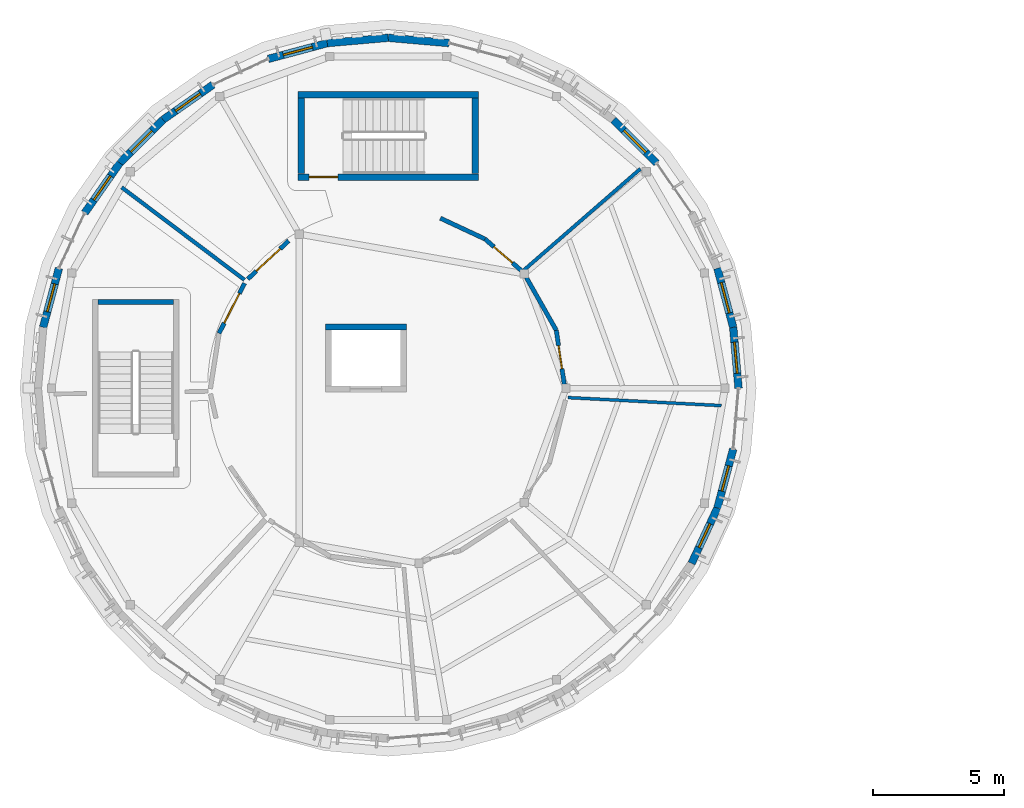
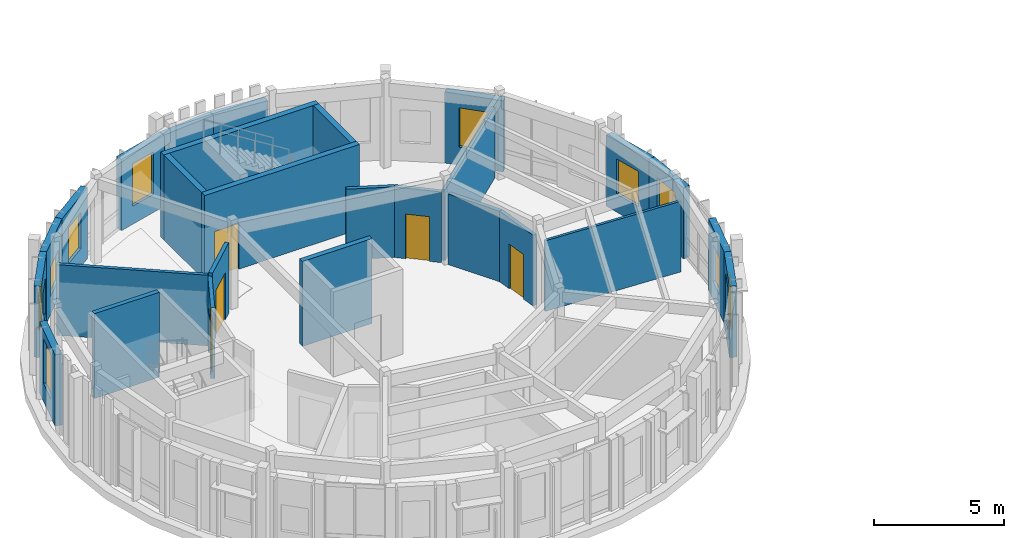
# One storey, part 21 of 37: 27 walls, 10 windows, 5 doors, 15 openings.
"""IFC4 building model written with IfcOpenShell, lengths in metres."""

from ifc_helpers import new_model, si_unit, direction, frame, frame_2d, origin, place, context, subcontext, project, spatial, rectangle, extrude, material, layer, layer_set, type_object, element, fill, save


model = new_model("IFC4")

# Units and contexts
model_context = context("Model", 3, precision=1e-05, world=origin(), true_north=direction((0.0, 1.0)))
body_context = subcontext(model_context, "Body", "Model", "MODEL_VIEW")
ifc_project = project(units=[si_unit("LENGTHUNIT", "METRE"), si_unit("AREAUNIT", "SQUARE_METRE"), si_unit("VOLUMEUNIT", "CUBIC_METRE"), si_unit("PLANEANGLEUNIT", "RADIAN"), si_unit("MASSUNIT", "GRAM", prefix="KILO")], contexts=[model_context])

# Site, building, storey
site_placement = place(None, origin())
site = spatial("IfcSite", under=ifc_project, at=site_placement, CompositionType="ELEMENT")
building_placement = place(site_placement, origin())
building = spatial("IfcBuilding", under=site, at=building_placement, Name="Aldenvaro Health Centre", CompositionType="ELEMENT")
storey_placement = place(building_placement, frame((0.0, 0.0, 12.949951171875)))
storey = spatial("IfcBuildingStorey", under=building, at=storey_placement, Name="L03", CompositionType="ELEMENT", Elevation=12.949951171875)

# Wall
ifc_material_1 = material(Name="Gypsum Stud Acoustic Assembly")
ifc_layer_1 = layer(ifc_material_1, 0.14501953125, Name="Gypsum Stud Acoustic Assembly")
ifc_layer_set_1 = layer_set([ifc_layer_1], Name="Gypsum Stud Acoustic Assembly")
wall_type_1 = type_object("IfcWallType", Name="WL-CLN-145", PredefinedType="PARTITIONING", material=ifc_layer_set_1)
wall_1_placement = place(storey_placement, frame((13.0029296875, 103.64208984375, 0.0), z_axis=(0.0, 0.0, 1.0), x_axis=(-0.798611576701, 0.601846782462, 0.0)))
element("IfcWall", 1, at=wall_1_placement, inside=storey, type_object=wall_type_1, Name="D4 L03 clinical partition 2.1", PredefinedType="PARTITIONING", context=body_context, shape_type="SweptSolid", body=[
    extrude(rectangle(XDim=5.875, YDim=0.14501953125, at=frame_2d((2.9375, 0.0))), origin(), (0.0, 0.0, 1.0), 3.323974609375),
])

# Wall, opening, door
ifc_layer_2 = layer(ifc_material_1, 0.1650390625, Name="Gypsum Stud Acoustic Assembly")
ifc_layer_set_2 = layer_set([ifc_layer_2], Name="Gypsum Stud Acoustic Assembly")
wall_type_2 = type_object("IfcWallType", Name="WL-COR-165", PredefinedType="PARTITIONING", material=ifc_layer_set_2)
wall_2_placement = place(storey_placement, frame((14.697021484375, 105.136962890625, 0.0), z_axis=(0.0, 0.0, 1.0), x_axis=(-0.73028240744, -0.683145376464, 0.0)))
wall_2 = element("IfcWall", 2, at=wall_2_placement, inside=storey, type_object=wall_type_2, Name="D4 L03 corridor wall 01.1", PredefinedType="PARTITIONING", context=body_context, shape_type="SweptSolid", body=[
    extrude(rectangle(XDim=2.144287109375, YDim=0.1650390625, at=frame_2d((1.072265625, 0.0))), origin(), (0.0, 0.0, 1.0), 3.323974609375),
])
opening_1_placement = place(wall_2_placement, frame((0.452880859375, 0.0, 0.0)))
opening_1 = element("IfcOpeningElement", 3, at=opening_1_placement, cuts=wall_2, Name="Opening D-28", PredefinedType="OPENING", context=body_context, shape_type="SweptSolid", body=[
    extrude(rectangle(XDim=1.239990234375, YDim=2.219970703125, at=frame_2d((0.6201171875, 1.10986328125))), frame((0.0, 0.092529296875, 0.0), z_axis=(0.0, -1.0, 0.0), x_axis=(1.0, 0.0, 0.0)), (0.0, 0.0, 1.0), 0.18505859375),
])
ifc_material_2 = material(Name="Exam Suite Timber Door", Category="wood")
door_type_1 = type_object("IfcDoorType", Name="DR-CLN-28", OperationType="NOTDEFINED", PredefinedType="DOOR", material=ifc_material_2)
door_1_placement = place(opening_1_placement, origin())
door_1 = element("IfcDoor", 4, at=door_1_placement, inside=storey, type_object=door_type_1, Name="Cardiology Consulting Room 401 Door", OperationType="SINGLE_SWING_LEFT", OverallHeight=2.219970703125, OverallWidth=1.239990234375, PredefinedType="DOOR", context=body_context, shape_type="SweptSolid", body=[
    extrude(rectangle(XDim=1.239990234375, YDim=2.219970703125, at=frame_2d((0.6201171875, 1.10986328125))), frame((0.0, 0.02490234375, 0.0), z_axis=(0.0, -1.0, 0.0), x_axis=(1.0, 0.0, 0.0)), (0.0, 0.0, 1.0), 0.050048828125),
])
fill(opening_1, door_1)

wall_3_placement = place(storey_placement, frame((13.009033203125, 103.510986328125, 0.0), z_axis=(0.0, 0.0, 1.0), x_axis=(-0.455072954242, -0.890454157337, 0.0)))
wall_3 = element("IfcWall", 5, at=wall_3_placement, inside=storey, type_object=wall_type_2, Name="D4 L03 corridor wall 02.1", PredefinedType="PARTITIONING", context=body_context, shape_type="SweptSolid", body=[
    extrude(rectangle(XDim=2.144775390625, YDim=0.1650390625, at=frame_2d((1.072265625, 0.0))), origin(), (0.0, 0.0, 1.0), 3.323974609375),
])
opening_2_placement = place(wall_3_placement, frame((0.43310546875, 0.0, 0.0)))
opening_2 = element("IfcOpeningElement", 6, at=opening_2_placement, cuts=wall_3, Name="Opening D-29", PredefinedType="OPENING", context=body_context, shape_type="SweptSolid", body=[
    extrude(rectangle(XDim=1.280029296875, YDim=2.300048828125, at=frame_2d((0.64013671875, 1.14990234375))), frame((0.0, 0.092529296875, 0.0), z_axis=(0.0, -1.0, 0.0), x_axis=(1.0, 0.0, 0.0)), (0.0, 0.0, 1.0), 0.18505859375),
])
door_type_2 = type_object("IfcDoorType", Name="DR-CLN-29", OperationType="NOTDEFINED", PredefinedType="DOOR", material=ifc_material_2)
door_2_placement = place(opening_2_placement, origin())
door_2 = element("IfcDoor", 7, at=door_2_placement, inside=storey, type_object=door_type_2, Name="Endocrinology Consulting Room 402 Door", OperationType="SINGLE_SWING_RIGHT", OverallHeight=2.300048828125, OverallWidth=1.280029296875, PredefinedType="DOOR", context=body_context, shape_type="SweptSolid", body=[
    extrude(rectangle(XDim=1.280029296875, YDim=2.300048828125, at=frame_2d((0.64013671875, 1.14990234375))), frame((0.0, 0.02490234375, 0.0), z_axis=(0.0, -1.0, 0.0), x_axis=(1.0, 0.0, 0.0)), (0.0, 0.0, 1.0), 0.050048828125),
])
fill(opening_2, door_2)

wall_4_placement = place(storey_placement, frame((25.235107421875, 99.64892578125, 0.0), z_axis=(0.0, 0.0, 1.0), x_axis=(-0.14618415224, 0.989257395036, 0.0)))
wall_4 = element("IfcWall", 8, at=wall_4_placement, inside=storey, type_object=wall_type_2, Name="D4 L03 corridor wall 07.1", PredefinedType="PARTITIONING", context=body_context, shape_type="SweptSolid", body=[
    extrude(rectangle(XDim=2.087646484375, YDim=0.1650390625, at=frame_2d((1.0439453125, 0.0))), origin(), (0.0, 0.0, 1.0), 3.323974609375),
])
opening_3_placement = place(wall_4_placement, frame((0.60400390625, 0.0, 0.0)))
opening_3 = element("IfcOpeningElement", 9, at=opening_3_placement, cuts=wall_4, Name="Opening UD-01", PredefinedType="OPENING", context=body_context, shape_type="SweptSolid", body=[
    extrude(rectangle(XDim=0.8798828125, YDim=2.10009765625, at=frame_2d((0.43994140625, 1.050048828125))), frame((0.0, 0.092529296875, 0.0), z_axis=(0.0, -1.0, 0.0), x_axis=(1.0, 0.0, 0.0)), (0.0, 0.0, 1.0), 0.18505859375),
])
ifc_material_3 = material(Name="Clean Supply Store Door")
door_type_3 = type_object("IfcDoorType", Name="DR-STR-01", OperationType="NOTDEFINED", PredefinedType="DOOR", material=ifc_material_3)
door_3_placement = place(opening_3_placement, origin())
door_3 = element("IfcDoor", 10, at=door_3_placement, inside=storey, type_object=door_type_3, Name="Clean Instrument Hold Door", OperationType="SINGLE_SWING_LEFT", OverallHeight=2.10009765625, OverallWidth=0.8798828125, PredefinedType="DOOR", context=body_context, shape_type="SweptSolid", body=[
    extrude(rectangle(XDim=0.8798828125, YDim=2.10009765625, at=frame_2d((0.43994140625, 1.050048828125))), frame((0.0, 0.02490234375, 0.0), z_axis=(0.0, -1.0, 0.0), x_axis=(1.0, 0.0, 0.0)), (0.0, 0.0, 1.0), 0.050048828125),
])
fill(opening_3, door_3)

# Wall
wall_5_placement = place(storey_placement, frame((24.929931640625, 101.714111328125, 0.0), z_axis=(0.0, 0.0, 1.0), x_axis=(-0.493935156124, 0.869498741543, 0.0)))
element("IfcWall", 11, at=wall_5_placement, inside=storey, type_object=wall_type_2, Name="D4 L03 corridor wall 07.2", PredefinedType="PARTITIONING", context=body_context, shape_type="SweptSolid", body=[
    extrude(rectangle(XDim=2.316162109375, YDim=0.1650390625, at=frame_2d((1.158203125, 0.0))), origin(), (0.0, 0.0, 1.0), 3.323974609375),
])

# Wall, opening, door
wall_6_placement = place(storey_placement, frame((23.60009765625, 103.990966796875, 0.0), z_axis=(0.0, 0.0, 1.0), x_axis=(-0.755139781187, 0.65556381144, 0.0)))
wall_6 = element("IfcWall", 12, at=wall_6_placement, inside=storey, type_object=wall_type_2, Name="D4 L03 corridor wall 08.1", PredefinedType="PARTITIONING", context=body_context, shape_type="SweptSolid", body=[
    extrude(rectangle(XDim=1.8486328125, YDim=0.1650390625, at=frame_2d((0.92431640625, 0.0))), origin(), (0.0, 0.0, 1.0), 3.323974609375),
])
opening_4_placement = place(wall_6_placement, frame((0.4541015625, 0.0, 0.0)))
opening_4 = element("IfcOpeningElement", 13, at=opening_4_placement, cuts=wall_6, Name="Opening WD-02", PredefinedType="OPENING", context=body_context, shape_type="SweptSolid", body=[
    extrude(rectangle(XDim=0.93994140625, YDim=2.10009765625, at=frame_2d((0.469970703125, 1.050048828125))), frame((0.0, 0.092529296875, 0.0), z_axis=(0.0, -1.0, 0.0), x_axis=(1.0, 0.0, 0.0)), (0.0, 0.0, 1.0), 0.18505859375),
])
ifc_material_4 = material(Name="Accessible Sanitary Laminate Door")
door_type_4 = type_object("IfcDoorType", Name="DR-WC-02", OperationType="NOTDEFINED", PredefinedType="DOOR", material=ifc_material_4)
door_4_placement = place(opening_4_placement, origin())
door_4 = element("IfcDoor", 14, at=door_4_placement, inside=storey, type_object=door_type_4, Name="Male Patient WC Door", OperationType="SINGLE_SWING_RIGHT", OverallHeight=2.10009765625, OverallWidth=0.93994140625, PredefinedType="DOOR", context=body_context, shape_type="SweptSolid", body=[
    extrude(rectangle(XDim=0.93994140625, YDim=2.10009765625, at=frame_2d((0.469970703125, 1.050048828125))), frame((0.0, 0.02490234375, 0.0), z_axis=(0.0, -1.0, 0.0), x_axis=(1.0, 0.0, 0.0)), (0.0, 0.0, 1.0), 0.050048828125),
])
fill(opening_4, door_4)

# Wall
wall_7_placement = place(storey_placement, frame((22.2041015625, 105.202880859375, 0.0), z_axis=(0.0, 0.0, 1.0), x_axis=(-0.906080483262, 0.423105374407, 0.0)))
element("IfcWall", 15, at=wall_7_placement, inside=storey, type_object=wall_type_2, Name="D4 L03 corridor wall 08.2", PredefinedType="PARTITIONING", context=body_context, shape_type="SweptSolid", body=[
    extrude(rectangle(XDim=1.884033203125, YDim=0.1650390625, at=frame_2d((0.94189453125, 0.0))), origin(), (0.0, 0.0, 1.0), 3.323974609375),
])

# Wall, opening, window
ifc_material_5 = material(Name="Cross-laminated timber CLT E1", Category="wood")
ifc_layer_3 = layer(ifc_material_5, 0.2900390625, Name="Cross-laminated timber CLT E1", Category="wood")
ifc_layer_set_3 = layer_set([ifc_layer_3], Name="Cross-laminated timber CLT E1")
wall_type_3 = type_object("IfcWallType", Name="WL-EXT-290", PredefinedType="ELEMENTEDWALL", material=ifc_layer_set_3)
wall_8_placement = place(storey_placement, frame((31.696044921875, 97.173095703125, 0.0), z_axis=(0.0, 0.0, 1.0), x_axis=(-0.258612423585, -0.965981166673, 0.0)))
wall_8 = element("IfcWall", 16, at=wall_8_placement, inside=storey, type_object=wall_type_3, Name="D4 L03 exterior wall 02", PredefinedType="ELEMENTEDWALL", context=body_context, shape_type="SweptSolid", body=[
    extrude(rectangle(XDim=2.33544921875, YDim=0.2900390625, at=frame_2d((1.167724609375, 0.0))), origin(), (0.0, 0.0, 1.0), 3.34912109375),
])
opening_5_placement = place(wall_8_placement, frame((0.66796875, 0.0, 0.85009765625)))
opening_5 = element("IfcOpeningElement", 17, at=opening_5_placement, cuts=wall_8, Name="Opening W-16", PredefinedType="OPENING", context=body_context, shape_type="SweptSolid", body=[
    extrude(rectangle(XDim=1.0, YDim=1.75, at=frame_2d((0.5, 0.875))), frame((0.0, 0.155029296875, 0.0), z_axis=(0.0, -1.0, 0.0), x_axis=(1.0, 0.0, 0.0)), (0.0, 0.0, 1.0), 0.31005859375),
])
ifc_material_6 = material(Name="Thermally Broken Aluminium Low-E Glass", Category="aluminium")
window_type_1 = type_object("IfcWindowType", Name="WN-EXT-16", PartitioningType="SINGLE_PANEL", PredefinedType="WINDOW", material=ifc_material_6)
window_1_placement = place(opening_5_placement, origin())
window_1 = element("IfcWindow", 18, at=window_1_placement, inside=storey, type_object=window_type_1, Name="D4 L03 clinical window 02", OverallHeight=1.75, OverallWidth=1.0, PartitioningType="SINGLE_PANEL", PredefinedType="WINDOW", context=body_context, shape_type="SweptSolid", body=[
    extrude(rectangle(XDim=1.0, YDim=1.75, at=frame_2d((0.5, 0.875))), frame((0.0, 0.030029296875, 0.0), z_axis=(0.0, -1.0, 0.0), x_axis=(1.0, 0.0, 0.0)), (0.0, 0.0, 1.0), 0.06005859375),
])
fill(opening_5, window_1)

wall_9_placement = place(storey_placement, frame((31.092041015625, 94.9169921875, 0.0), z_axis=(0.0, 0.0, 1.0), x_axis=(-0.422587894318, -0.906321946979, 0.0)))
wall_9 = element("IfcWall", 19, at=wall_9_placement, inside=storey, type_object=wall_type_3, Name="D4 L03 exterior wall 03", PredefinedType="ELEMENTEDWALL", context=body_context, shape_type="SweptSolid", body=[
    extrude(rectangle(XDim=2.335693359375, YDim=0.2900390625, at=frame_2d((1.16796875, 0.0))), origin(), (0.0, 0.0, 1.0), 3.34912109375),
])
opening_6_placement = place(wall_9_placement, frame((0.66796875, 0.0, 0.85009765625)))
opening_6 = element("IfcOpeningElement", 20, at=opening_6_placement, cuts=wall_9, Name="Opening W-17", PredefinedType="OPENING", context=body_context, shape_type="SweptSolid", body=[
    extrude(rectangle(XDim=1.0, YDim=2.0, at=frame_2d((0.5, 1.0))), frame((0.0, 0.155029296875, 0.0), z_axis=(0.0, -1.0, 0.0), x_axis=(1.0, 0.0, 0.0)), (0.0, 0.0, 1.0), 0.31005859375),
])
window_type_2 = type_object("IfcWindowType", Name="WN-EXT-17", PartitioningType="SINGLE_PANEL", PredefinedType="WINDOW", material=ifc_material_6)
window_2_placement = place(opening_6_placement, origin())
window_2 = element("IfcWindow", 21, at=window_2_placement, inside=storey, type_object=window_type_2, Name="D4 L03 clinical window 03", OverallHeight=2.0, OverallWidth=1.0, PartitioningType="SINGLE_PANEL", PredefinedType="WINDOW", context=body_context, shape_type="SweptSolid", body=[
    extrude(rectangle(XDim=1.0, YDim=2.0, at=frame_2d((0.5, 1.0))), frame((0.0, 0.030029296875, 0.0), z_axis=(0.0, -1.0, 0.0), x_axis=(1.0, 0.0, 0.0)), (0.0, 0.0, 1.0), 0.06005859375),
])
fill(opening_6, window_2)

wall_10_placement = place(storey_placement, frame((5.303955078125, 101.826904296875, 0.0), z_axis=(0.0, 0.0, 1.0), x_axis=(0.258612423585, 0.965981166673, 0.0)))
wall_10 = element("IfcWall", 22, at=wall_10_placement, inside=storey, type_object=wall_type_3, Name="D4 L03 exterior wall 20", PredefinedType="ELEMENTEDWALL", context=body_context, shape_type="SweptSolid", body=[
    extrude(rectangle(XDim=2.33544921875, YDim=0.2900390625, at=frame_2d((1.167724609375, 0.0))), origin(), (0.0, 0.0, 1.0), 3.34912109375),
])
opening_7_placement = place(wall_10_placement, frame((0.617919921875, 0.0, 0.85009765625)))
opening_7 = element("IfcOpeningElement", 23, at=opening_7_placement, cuts=wall_10, Name="Opening W-28", PredefinedType="OPENING", context=body_context, shape_type="SweptSolid", body=[
    extrude(rectangle(XDim=1.10009765625, YDim=2.10009765625, at=frame_2d((0.550048828125, 1.050048828125))), frame((0.0, 0.155029296875, 0.0), z_axis=(0.0, -1.0, 0.0), x_axis=(1.0, 0.0, 0.0)), (0.0, 0.0, 1.0), 0.31005859375),
])
window_type_3 = type_object("IfcWindowType", Name="WN-EXT-28", PartitioningType="SINGLE_PANEL", PredefinedType="WINDOW", material=ifc_material_6)
window_3_placement = place(opening_7_placement, origin())
window_3 = element("IfcWindow", 24, at=window_3_placement, inside=storey, type_object=window_type_3, Name="D4 L03 clinical window 20", OverallHeight=2.10009765625, OverallWidth=1.10009765625, PartitioningType="SINGLE_PANEL", PredefinedType="WINDOW", context=body_context, shape_type="SweptSolid", body=[
    extrude(rectangle(XDim=1.10009765625, YDim=2.10009765625, at=frame_2d((0.550048828125, 1.050048828125))), frame((0.0, 0.030029296875, 0.0), z_axis=(0.0, -1.0, 0.0), x_axis=(1.0, 0.0, 0.0)), (0.0, 0.0, 1.0), 0.06005859375),
])
fill(opening_7, window_3)

wall_11_placement = place(storey_placement, frame((6.89501953125, 106.199951171875, 0.0), z_axis=(0.0, 0.0, 1.0), x_axis=(0.573728883722, 0.819045278347, 0.0)))
wall_11 = element("IfcWall", 25, at=wall_11_placement, inside=storey, type_object=wall_type_3, Name="D4 L03 exterior wall 22", PredefinedType="ELEMENTEDWALL", context=body_context, shape_type="SweptSolid", body=[
    extrude(rectangle(XDim=2.335693359375, YDim=0.2900390625, at=frame_2d((1.16796875, 0.0))), origin(), (0.0, 0.0, 1.0), 3.34912109375),
])
opening_8_placement = place(wall_11_placement, frame((0.60791015625, 0.0, 0.85009765625)))
opening_8 = element("IfcOpeningElement", 26, at=opening_8_placement, cuts=wall_11, Name="Opening W-29", PredefinedType="OPENING", context=body_context, shape_type="SweptSolid", body=[
    extrude(rectangle(XDim=1.1201171875, YDim=1.64990234375, at=frame_2d((0.56005859375, 0.824951171875))), frame((0.0, 0.155029296875, 0.0), z_axis=(0.0, -1.0, 0.0), x_axis=(1.0, 0.0, 0.0)), (0.0, 0.0, 1.0), 0.31005859375),
])
window_type_4 = type_object("IfcWindowType", Name="WN-EXT-29", PartitioningType="SINGLE_PANEL", PredefinedType="WINDOW", material=ifc_material_6)
window_4_placement = place(opening_8_placement, origin())
window_4 = element("IfcWindow", 27, at=window_4_placement, inside=storey, type_object=window_type_4, Name="D4 L03 clinical window 22", OverallHeight=1.64990234375, OverallWidth=1.1201171875, PartitioningType="SINGLE_PANEL", PredefinedType="WINDOW", context=body_context, shape_type="SweptSolid", body=[
    extrude(rectangle(XDim=1.1201171875, YDim=1.64990234375, at=frame_2d((0.56005859375, 0.824951171875))), frame((0.0, 0.030029296875, 0.0), z_axis=(0.0, -1.0, 0.0), x_axis=(1.0, 0.0, 0.0)), (0.0, 0.0, 1.0), 0.06005859375),
])
fill(opening_8, window_4)

wall_12_placement = place(storey_placement, frame((8.235107421875, 108.113037109375, 0.0), z_axis=(0.0, 0.0, 1.0), x_axis=(0.707106781187, 0.707106781187, 0.0)))
wall_12 = element("IfcWall", 28, at=wall_12_placement, inside=storey, type_object=wall_type_3, Name="D4 L03 exterior wall 23", PredefinedType="ELEMENTEDWALL", context=body_context, shape_type="SweptSolid", body=[
    extrude(rectangle(XDim=2.336181640625, YDim=0.2900390625, at=frame_2d((1.16796875, 0.0))), origin(), (0.0, 0.0, 1.0), 3.34912109375),
])
opening_9_placement = place(wall_12_placement, frame((0.593017578125, 0.0, 0.85009765625)))
opening_9 = element("IfcOpeningElement", 29, at=opening_9_placement, cuts=wall_12, Name="Opening W-30", PredefinedType="OPENING", context=body_context, shape_type="SweptSolid", body=[
    extrude(rectangle(XDim=1.14990234375, YDim=1.39990234375, at=frame_2d((0.574951171875, 0.699951171875))), frame((0.0, 0.155029296875, 0.0), z_axis=(0.0, -1.0, 0.0), x_axis=(1.0, 0.0, 0.0)), (0.0, 0.0, 1.0), 0.31005859375),
])
window_type_5 = type_object("IfcWindowType", Name="WN-EXT-30", PartitioningType="SINGLE_PANEL", PredefinedType="WINDOW", material=ifc_material_6)
window_5_placement = place(opening_9_placement, origin())
window_5 = element("IfcWindow", 30, at=window_5_placement, inside=storey, type_object=window_type_5, Name="D4 L03 clinical window 23", OverallHeight=1.39990234375, OverallWidth=1.14990234375, PartitioningType="SINGLE_PANEL", PredefinedType="WINDOW", context=body_context, shape_type="SweptSolid", body=[
    extrude(rectangle(XDim=1.14990234375, YDim=1.39990234375, at=frame_2d((0.574951171875, 0.699951171875))), frame((0.0, 0.030029296875, 0.0), z_axis=(0.0, -1.0, 0.0), x_axis=(1.0, 0.0, 0.0)), (0.0, 0.0, 1.0), 0.06005859375),
])
fill(opening_9, window_5)

wall_13_placement = place(storey_placement, frame((9.886962890625, 109.764892578125, 0.0), z_axis=(0.0, 0.0, 1.0), x_axis=(0.819045278347, 0.573728883722, 0.0)))
wall_13 = element("IfcWall", 31, at=wall_13_placement, inside=storey, type_object=wall_type_3, Name="D4 L03 exterior wall 24", PredefinedType="ELEMENTEDWALL", context=body_context, shape_type="SweptSolid", body=[
    extrude(rectangle(XDim=2.335693359375, YDim=0.2900390625, at=frame_2d((1.16796875, 0.0))), origin(), (0.0, 0.0, 1.0), 3.34912109375),
])
opening_10_placement = place(wall_13_placement, frame((0.593017578125, 0.0, 0.85009765625)))
opening_10 = element("IfcOpeningElement", 32, at=opening_10_placement, cuts=wall_13, Name="Opening W-31", PredefinedType="OPENING", context=body_context, shape_type="SweptSolid", body=[
    extrude(rectangle(XDim=1.14990234375, YDim=1.699951171875, at=frame_2d((0.574951171875, 0.85009765625))), frame((0.0, 0.155029296875, 0.0), z_axis=(0.0, -1.0, 0.0), x_axis=(1.0, 0.0, 0.0)), (0.0, 0.0, 1.0), 0.31005859375),
])
window_type_6 = type_object("IfcWindowType", Name="WN-EXT-31", PartitioningType="SINGLE_PANEL", PredefinedType="WINDOW", material=ifc_material_6)
window_6_placement = place(opening_10_placement, origin())
window_6 = element("IfcWindow", 33, at=window_6_placement, inside=storey, type_object=window_type_6, Name="D4 L03 clinical window 24", OverallHeight=1.699951171875, OverallWidth=1.14990234375, PartitioningType="SINGLE_PANEL", PredefinedType="WINDOW", context=body_context, shape_type="SweptSolid", body=[
    extrude(rectangle(XDim=1.14990234375, YDim=1.699951171875, at=frame_2d((0.574951171875, 0.85009765625))), frame((0.0, 0.030029296875, 0.0), z_axis=(0.0, -1.0, 0.0), x_axis=(1.0, 0.0, 0.0)), (0.0, 0.0, 1.0), 0.06005859375),
])
fill(opening_10, window_6)

wall_14_placement = place(storey_placement, frame((13.9169921875, 112.092041015625, 0.0), z_axis=(0.0, 0.0, 1.0), x_axis=(0.965981166673, 0.258612423585, 0.0)))
wall_14 = element("IfcWall", 34, at=wall_14_placement, inside=storey, type_object=wall_type_3, Name="D4 L03 exterior wall 26", PredefinedType="ELEMENTEDWALL", context=body_context, shape_type="SweptSolid", body=[
    extrude(rectangle(XDim=2.33544921875, YDim=0.2900390625, at=frame_2d((1.167724609375, 0.0))), origin(), (0.0, 0.0, 1.0), 3.34912109375),
])
opening_11_placement = place(wall_14_placement, frame((0.593017578125, 0.0, 0.85009765625)))
opening_11 = element("IfcOpeningElement", 35, at=opening_11_placement, cuts=wall_14, Name="Opening W-32", PredefinedType="OPENING", context=body_context, shape_type="SweptSolid", body=[
    extrude(rectangle(XDim=1.14990234375, YDim=2.0, at=frame_2d((0.574951171875, 1.0))), frame((0.0, 0.155029296875, 0.0), z_axis=(0.0, -1.0, 0.0), x_axis=(1.0, 0.0, 0.0)), (0.0, 0.0, 1.0), 0.31005859375),
])
window_type_7 = type_object("IfcWindowType", Name="WN-EXT-32", PartitioningType="SINGLE_PANEL", PredefinedType="WINDOW", material=ifc_material_6)
window_7_placement = place(opening_11_placement, origin())
window_7 = element("IfcWindow", 36, at=window_7_placement, inside=storey, type_object=window_type_7, Name="D4 L03 clinical window 26", OverallHeight=2.0, OverallWidth=1.14990234375, PartitioningType="SINGLE_PANEL", PredefinedType="WINDOW", context=body_context, shape_type="SweptSolid", body=[
    extrude(rectangle(XDim=1.14990234375, YDim=2.0, at=frame_2d((0.574951171875, 1.0))), frame((0.0, 0.030029296875, 0.0), z_axis=(0.0, -1.0, 0.0), x_axis=(1.0, 0.0, 0.0)), (0.0, 0.0, 1.0), 0.06005859375),
])
fill(opening_11, window_7)

# Walls
for number, where, z_axis, x_axis, name in (
    (37, (16.173095703125, 112.696044921875, 0.0), (0.0, 0.0, 1.0), (0.996184295282, 0.087274565792, 0.0), "D4 L03 exterior wall 27"),
    (38, (18.5, 112.89990234375, 0.0), (0.0, 0.0, 1.0), (0.996184295282, -0.087274565792, 0.0), "D4 L03 exterior wall 28"),
):
    element("IfcWall", number, at=place(storey_placement, frame(where, z_axis=z_axis, x_axis=x_axis)), inside=storey, type_object=wall_type_3, Name=name, PredefinedType="ELEMENTEDWALL", context=body_context, shape_type="SweptSolid", body=[
        extrude(rectangle(XDim=2.3359375, YDim=0.2900390625, at=frame_2d((1.16796875, 0.0))), origin(), (0.0, 0.0, 1.0), 3.34912109375),
    ])

# Wall, opening, window
wall_15_placement = place(storey_placement, frame((27.113037109375, 109.764892578125, 0.0), z_axis=(0.0, 0.0, 1.0), x_axis=(0.707106781187, -0.707106781187, 0.0)))
wall_15 = element("IfcWall", 39, at=wall_15_placement, inside=storey, type_object=wall_type_3, Name="D4 L03 exterior wall 32", PredefinedType="ELEMENTEDWALL", context=body_context, shape_type="SweptSolid", body=[
    extrude(rectangle(XDim=2.336181640625, YDim=0.2900390625, at=frame_2d((1.16796875, 0.0))), origin(), (0.0, 0.0, 1.0), 3.34912109375),
])
opening_12_placement = place(wall_15_placement, frame((0.577880859375, 0.0, 0.85009765625)))
opening_12 = element("IfcOpeningElement", 40, at=opening_12_placement, cuts=wall_15, Name="Opening W-35", PredefinedType="OPENING", context=body_context, shape_type="SweptSolid", body=[
    extrude(rectangle(XDim=1.179931640625, YDim=1.85009765625, at=frame_2d((0.58984375, 0.925048828125))), frame((0.0, 0.155029296875, 0.0), z_axis=(0.0, -1.0, 0.0), x_axis=(1.0, 0.0, 0.0)), (0.0, 0.0, 1.0), 0.31005859375),
])
window_type_8 = type_object("IfcWindowType", Name="WN-EXT-35", PartitioningType="SINGLE_PANEL", PredefinedType="WINDOW", material=ifc_material_6)
window_8_placement = place(opening_12_placement, origin())
window_8 = element("IfcWindow", 41, at=window_8_placement, inside=storey, type_object=window_type_8, Name="D4 L03 clinical window 32", OverallHeight=1.85009765625, OverallWidth=1.179931640625, PartitioningType="SINGLE_PANEL", PredefinedType="WINDOW", context=body_context, shape_type="SweptSolid", body=[
    extrude(rectangle(XDim=1.179931640625, YDim=1.85009765625, at=frame_2d((0.58984375, 0.925048828125))), frame((0.0, 0.030029296875, 0.0), z_axis=(0.0, -1.0, 0.0), x_axis=(1.0, 0.0, 0.0)), (0.0, 0.0, 1.0), 0.06005859375),
])
fill(opening_12, window_8)

wall_16_placement = place(storey_placement, frame((31.092041015625, 104.0830078125, 0.0), z_axis=(0.0, 0.0, 1.0), x_axis=(0.258612423585, -0.965981166673, 0.0)))
wall_16 = element("IfcWall", 42, at=wall_16_placement, inside=storey, type_object=wall_type_3, Name="D4 L03 exterior wall 35", PredefinedType="ELEMENTEDWALL", context=body_context, shape_type="SweptSolid", body=[
    extrude(rectangle(XDim=2.33544921875, YDim=0.2900390625, at=frame_2d((1.167724609375, 0.0))), origin(), (0.0, 0.0, 1.0), 3.34912109375),
])
opening_13_placement = place(wall_16_placement, frame((0.568115234375, 0.0, 0.85009765625)))
opening_13 = element("IfcOpeningElement", 43, at=opening_13_placement, cuts=wall_16, Name="Opening W-37", PredefinedType="OPENING", context=body_context, shape_type="SweptSolid", body=[
    extrude(rectangle(XDim=1.199951171875, YDim=1.64990234375, at=frame_2d((0.60009765625, 0.824951171875))), frame((0.0, 0.155029296875, 0.0), z_axis=(0.0, -1.0, 0.0), x_axis=(1.0, 0.0, 0.0)), (0.0, 0.0, 1.0), 0.31005859375),
])
window_type_9 = type_object("IfcWindowType", Name="WN-EXT-37", PartitioningType="SINGLE_PANEL", PredefinedType="WINDOW", material=ifc_material_6)
window_9_placement = place(opening_13_placement, origin())
window_9 = element("IfcWindow", 44, at=window_9_placement, inside=storey, type_object=window_type_9, Name="D4 L03 clinical window 35", OverallHeight=1.64990234375, OverallWidth=1.199951171875, PartitioningType="SINGLE_PANEL", PredefinedType="WINDOW", context=body_context, shape_type="SweptSolid", body=[
    extrude(rectangle(XDim=1.199951171875, YDim=1.64990234375, at=frame_2d((0.60009765625, 0.824951171875))), frame((0.0, 0.030029296875, 0.0), z_axis=(0.0, -1.0, 0.0), x_axis=(1.0, 0.0, 0.0)), (0.0, 0.0, 1.0), 0.06005859375),
])
fill(opening_13, window_9)

wall_17_placement = place(storey_placement, frame((31.696044921875, 101.826904296875, 0.0), z_axis=(0.0, 0.0, 1.0), x_axis=(0.087274565792, -0.996184295282, 0.0)))
wall_17 = element("IfcWall", 45, at=wall_17_placement, inside=storey, type_object=wall_type_3, Name="D4 L03 exterior wall 36", PredefinedType="ELEMENTEDWALL", context=body_context, shape_type="SweptSolid", body=[
    extrude(rectangle(XDim=2.3359375, YDim=0.2900390625, at=frame_2d((1.16796875, 0.0))), origin(), (0.0, 0.0, 1.0), 3.34912109375),
])
opening_14_placement = place(wall_17_placement, frame((0.568115234375, 0.0, 0.85009765625)))
opening_14 = element("IfcOpeningElement", 46, at=opening_14_placement, cuts=wall_17, Name="Opening W-38", PredefinedType="OPENING", context=body_context, shape_type="SweptSolid", body=[
    extrude(rectangle(XDim=1.199951171875, YDim=1.949951171875, at=frame_2d((0.60009765625, 0.97509765625))), frame((0.0, 0.155029296875, 0.0), z_axis=(0.0, -1.0, 0.0), x_axis=(1.0, 0.0, 0.0)), (0.0, 0.0, 1.0), 0.31005859375),
])
window_type_10 = type_object("IfcWindowType", Name="WN-EXT-38", PartitioningType="SINGLE_PANEL", PredefinedType="WINDOW", material=ifc_material_6)
window_10_placement = place(opening_14_placement, origin())
window_10 = element("IfcWindow", 47, at=window_10_placement, inside=storey, type_object=window_type_10, Name="D4 L03 clinical window 36", OverallHeight=1.949951171875, OverallWidth=1.199951171875, PartitioningType="SINGLE_PANEL", PredefinedType="WINDOW", context=body_context, shape_type="SweptSolid", body=[
    extrude(rectangle(XDim=1.199951171875, YDim=1.949951171875, at=frame_2d((0.60009765625, 0.97509765625))), frame((0.0, 0.030029296875, 0.0), z_axis=(0.0, -1.0, 0.0), x_axis=(1.0, 0.0, 0.0)), (0.0, 0.0, 1.0), 0.06005859375),
])
fill(opening_14, window_10)

# Walls
ifc_material_7 = material(Name="Concrete f'c 40 MPa", Category="concrete")
ifc_layer_4 = layer(ifc_material_7, 0.199951171875, Name="Concrete f'c 40 MPa", Category="concrete")
ifc_layer_set_4 = layer_set([ifc_layer_4], Name="Concrete f'c 40 MPa")
wall_type_4 = type_object("IfcWallType", Name="WL-SHAFT-200", PredefinedType="SHEAR", material=ifc_layer_set_4)
wall_18_placement = place(storey_placement, frame((10.300048828125, 102.800048828125, 0.0), z_axis=(0.0, 0.0, 1.0), x_axis=(-1.0, 0.0, 0.0)))
element("IfcWall", 48, at=wall_18_placement, inside=storey, type_object=wall_type_4, Name="ST-08 L03 side core wall R", PredefinedType="SHEAR", context=body_context, shape_type="SweptSolid", body=[
    extrude(rectangle(XDim=2.900146484375, YDim=0.199951171875, at=frame_2d((1.4501953125, 0.0))), origin(), (0.0, 0.0, 1.0), 3.9951171875),
])
ifc_layer_5 = layer(ifc_material_7, 0.22509765625, Name="Concrete f'c 40 MPa", Category="concrete")
ifc_layer_set_5 = layer_set([ifc_layer_5], Name="Concrete f'c 40 MPa")
wall_type_5 = type_object("IfcWallType", Name="WL-SHAFT-225", PredefinedType="SHEAR", material=ifc_layer_set_5)
wall_19_placement = place(storey_placement, frame((16.10009765625, 101.837890625, 0.0), z_axis=(0.0, 0.0, 1.0), x_axis=(1.0, 0.0, 0.0)))
element("IfcWall", 49, at=wall_19_placement, inside=storey, type_object=wall_type_5, Name="LF-04 L03 lift shaft rear wall", PredefinedType="SHEAR", context=body_context, shape_type="SweptSolid", body=[
    extrude(rectangle(XDim=3.099853515625, YDim=0.22509765625, at=frame_2d((1.5498046875, 0.0))), origin(), (0.0, 0.0, 1.0), 3.9951171875),
])

# Wall, opening, door
ifc_layer_6 = layer(ifc_material_7, 0.25, Name="Concrete f'c 40 MPa", Category="concrete")
ifc_layer_set_6 = layer_set([ifc_layer_6], Name="Concrete f'c 40 MPa")
wall_type_6 = type_object("IfcWallType", Name="WL-SHAFT-250", PredefinedType="SHEAR", material=ifc_layer_set_6)
wall_20_placement = place(storey_placement, frame((15.050048828125, 107.574951171875, 0.0), z_axis=(0.0, 0.0, 1.0), x_axis=(1.0, 0.0, 0.0)))
wall_20 = element("IfcWall", 50, at=wall_20_placement, inside=storey, type_object=wall_type_6, Name="ST-07 L03 inner core wall", PredefinedType="SHEAR", context=body_context, shape_type="SweptSolid", body=[
    extrude(rectangle(XDim=6.89990234375, YDim=0.25, at=frame_2d((3.449951171875, 0.0))), origin(), (0.0, 0.0, 1.0), 3.9951171875),
])
opening_15_placement = place(wall_20_placement, frame((0.429931640625, 0.0, 0.0)))
opening_15 = element("IfcOpeningElement", 51, at=opening_15_placement, cuts=wall_20, Name="Opening FD-01", PredefinedType="OPENING", context=body_context, shape_type="SweptSolid", body=[
    extrude(rectangle(XDim=1.10009765625, YDim=2.14990234375, at=frame_2d((0.550048828125, 1.074951171875))), frame((0.0, 0.135009765625, 0.0), z_axis=(0.0, -1.0, 0.0), x_axis=(1.0, 0.0, 0.0)), (0.0, 0.0, 1.0), 0.27001953125),
])
ifc_material_8 = material(Name="Fire-Rated Steel Door Assembly", Category="steel")
door_type_5 = type_object("IfcDoorType", Name="DR-STAIR-110", OperationType="NOTDEFINED", PredefinedType="DOOR", material=ifc_material_8)
door_5_placement = place(opening_15_placement, origin())
door_5 = element("IfcDoor", 52, at=door_5_placement, inside=storey, type_object=door_type_5, Name="ST-07 L03 fire stair door", OperationType="SINGLE_SWING_LEFT", OverallHeight=2.14990234375, OverallWidth=1.10009765625, PredefinedType="DOOR", context=body_context, shape_type="SweptSolid", body=[
    extrude(rectangle(XDim=1.10009765625, YDim=2.14990234375, at=frame_2d((0.550048828125, 1.074951171875))), frame((0.0, 0.02490234375, 0.0), z_axis=(0.0, -1.0, 0.0), x_axis=(1.0, 0.0, 0.0)), (0.0, 0.0, 1.0), 0.050048828125),
])
fill(opening_15, door_5)

# Walls
wall_21_placement = place(storey_placement, frame((15.050048828125, 110.72509765625, 0.0), z_axis=(0.0, 0.0, 1.0), x_axis=(1.0, 0.0, 0.0)))
element("IfcWall", 53, at=wall_21_placement, inside=storey, type_object=wall_type_6, Name="ST-07 L03 far core wall", PredefinedType="SHEAR", context=body_context, shape_type="SweptSolid", body=[
    extrude(rectangle(XDim=6.89990234375, YDim=0.25, at=frame_2d((3.449951171875, 0.0))), origin(), (0.0, 0.0, 1.0), 3.9951171875),
])
for number, where, z_axis, x_axis, name in (
    (54, (15.175048828125, 107.699951171875, 0.0), (0.0, 0.0, 1.0), (0.0, 1.0, 0.0), "ST-07 L03 side core wall L"),
    (55, (21.824951171875, 107.699951171875, 0.0), (0.0, 0.0, 1.0), (0.0, 1.0, 0.0), "ST-07 L03 side core wall R"),
):
    element("IfcWall", number, at=place(storey_placement, frame(where, z_axis=z_axis, x_axis=x_axis)), inside=storey, type_object=wall_type_6, Name=name, PredefinedType="SHEAR", context=body_context, shape_type="SweptSolid", body=[
        extrude(rectangle(XDim=2.900146484375, YDim=0.25, at=frame_2d((1.4501953125, 0.0))), origin(), (0.0, 0.0, 1.0), 3.9951171875),
    ])
ifc_material_9 = material(Name="Light Gauge Steel Stud Partition", Category="steel")
ifc_layer_7 = layer(ifc_material_9, 0.114990234375, Name="Light Gauge Steel Stud Partition", Category="steel")
ifc_layer_set_7 = layer_set([ifc_layer_7], Name="Light Gauge Steel Stud Partition")
wall_type_7 = type_object("IfcWallType", Name="WL-SUB-115", PredefinedType="PARTITIONING", material=ifc_layer_set_7)
wall_22_placement = place(storey_placement, frame((25.3740234375, 99.139892578125, 0.0), z_axis=(0.0, 0.0, 1.0), x_axis=(0.998625625662, -0.052410492944, 0.0)))
element("IfcWall", 56, at=wall_22_placement, inside=storey, type_object=wall_type_7, Name="D4 L03 clinical partition 7.1", PredefinedType="PARTITIONING", context=body_context, shape_type="SweptSolid", body=[
    extrude(rectangle(XDim=5.8740234375, YDim=0.114990234375, at=frame_2d((2.93701171875, 0.0))), origin(), (0.0, 0.0, 1.0), 3.323974609375),
])
ifc_material_10 = material(Name="Moisture-Resistant Plumbing Stud Wall")
ifc_layer_8 = layer(ifc_material_10, 0.135009765625, Name="Moisture-Resistant Plumbing Stud Wall")
ifc_layer_set_8 = layer_set([ifc_layer_8], Name="Moisture-Resistant Plumbing Stud Wall")
wall_type_8 = type_object("IfcWallType", Name="WL-WET-135", PredefinedType="PLUMBINGWALL", material=ifc_layer_set_8)
wall_23_placement = place(storey_placement, frame((23.695068359375, 104.01611328125, 0.0), z_axis=(0.0, 0.0, 1.0), x_axis=(0.754647404393, 0.656130547256, 0.0)))
element("IfcWall", 57, at=wall_23_placement, inside=storey, type_object=wall_type_8, Name="D4 L03 clinical partition 8.1", PredefinedType="PLUMBINGWALL", context=body_context, shape_type="SweptSolid", body=[
    extrude(rectangle(XDim=5.89794921875, YDim=0.135009765625, at=frame_2d((2.948974609375, 0.0))), origin(), (0.0, 0.0, 1.0), 3.323974609375),
])

save(model, "model.ifc")
